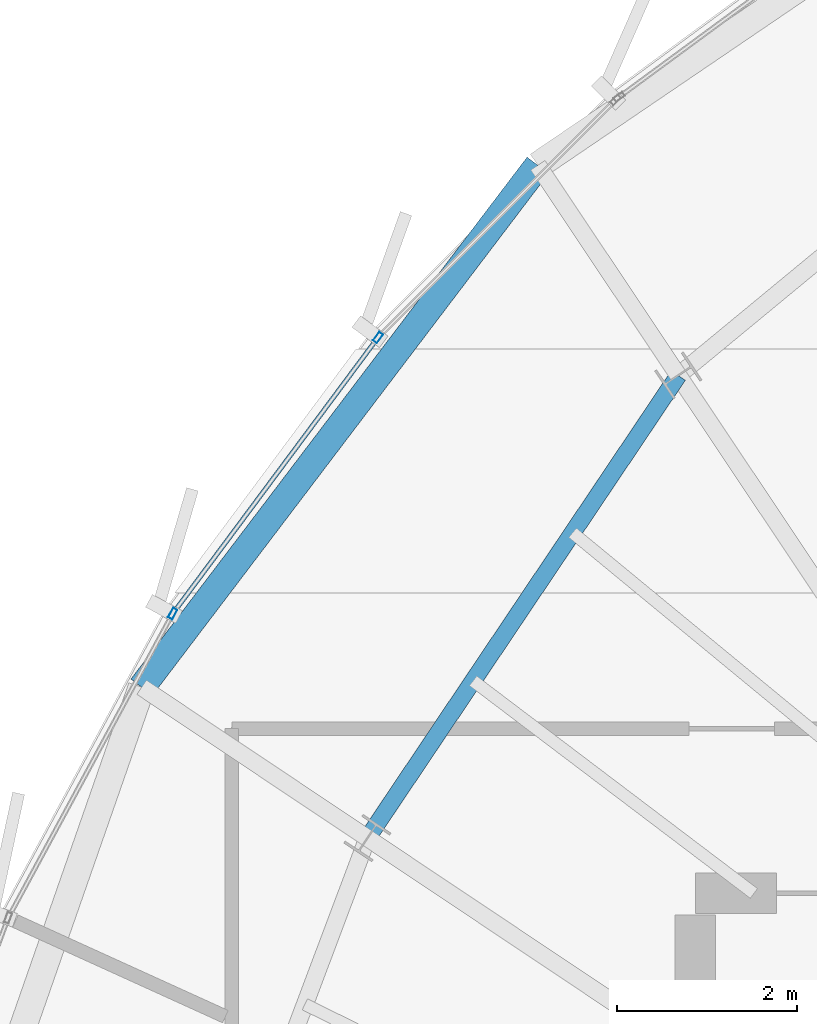
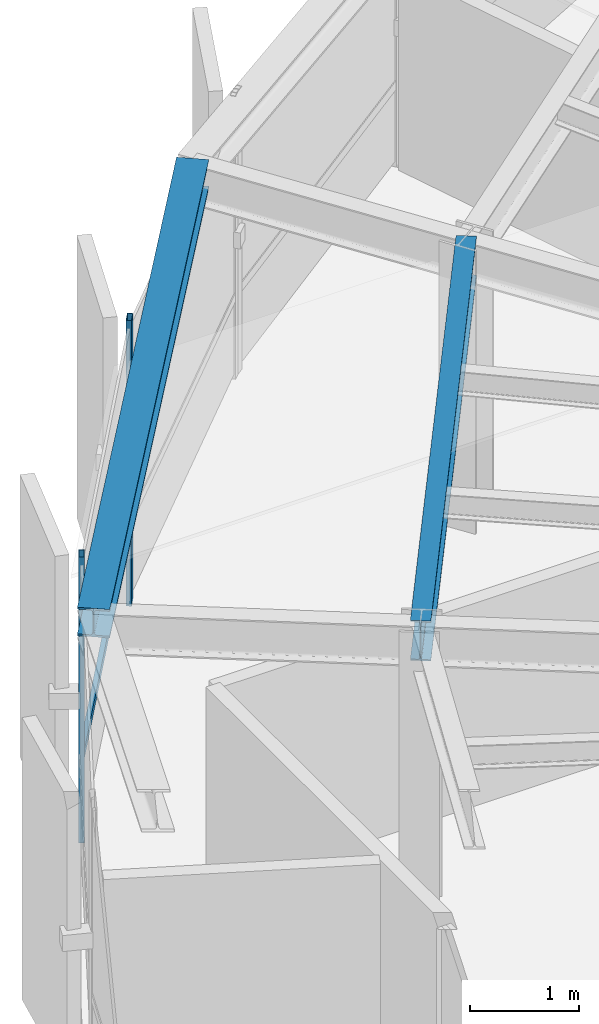
# One storey, part 16 of 30: 3 members, 2 beams, 1 element without a shape of its own.
"""IFC4 building model written with IfcOpenShell, lengths in metres."""

from ifc_helpers import new_model, si_unit, direction, frame, origin, origin_2d, place, context, subcontext, project, spatial, hollow_rectangle, i_section, extrude, source, transform, mapped, material, layer, layer_set, material_profile, profile_set, type_object, element, aggregate, save


model = new_model("IFC4")

# Units and contexts
model_context = context("Model", 3, precision=1e-05, world=origin(), true_north=direction((0.0, 1.0)))
body_context = subcontext(model_context, "Body", "Model", "MODEL_VIEW")
ifc_project = project(units=[si_unit("LENGTHUNIT", "METRE"), si_unit("AREAUNIT", "SQUARE_METRE"), si_unit("VOLUMEUNIT", "CUBIC_METRE"), si_unit("PLANEANGLEUNIT", "RADIAN"), si_unit("MASSUNIT", "GRAM", prefix="KILO"), si_unit("THERMODYNAMICTEMPERATUREUNIT", "KELVIN")], contexts=[model_context])

# Site, building, storey
site_placement = place(None, origin())
site = spatial("IfcSite", under=ifc_project, at=site_placement, CompositionType="ELEMENT")
building_placement = place(site_placement, origin())
building = spatial("IfcBuilding", under=site, at=building_placement, Name="Kethvar Cultural Tower", CompositionType="ELEMENT")
storey_placement = place(building_placement, frame((0.0, 0.0, 297.39990234375)))
storey = spatial("IfcBuildingStorey", under=building, at=storey_placement, Name="L79", CompositionType="ELEMENT", Elevation=297.39990234375)

# Beams
ifc_material_1 = material(Name="Steel S355J2", Category="steel")
ifc_material_profile_1 = material_profile(ifc_material_1, i_section(OverallWidth=0.18994140625, OverallDepth=0.449951171875, WebThickness=0.009521484375, FlangeThickness=0.0146484375, FilletRadius=0.02099609375, at=origin_2d()), Name="Steel S355J2 — IPE450")
ifc_profile_set_1 = profile_set([ifc_material_profile_1], Name="Steel S355J2 — IPE450")
beam_type_1 = type_object("IfcBeamType", Name="BM-IPE450", PredefinedType="BEAM", material=ifc_profile_set_1)
shared_shape_1 = source(origin(), body_context, "Body", "SweptSolid", [
    extrude(i_section(OverallWidth=0.18994140625, OverallDepth=0.449951171875, WebThickness=0.009521484375, FlangeThickness=0.0146484375, FilletRadius=0.02099609375, at=origin_2d()), origin(), (0.0, 0.0, 1.0), 6.192626953125),
])
beam_1_placement = place(storey_placement, frame((37.8095703125, 41.255126953125, 2.983154296875), z_axis=(-0.557698912025, -0.830043326295, 0.0), x_axis=(0.830043326295, -0.557698912025, 0.0)))
element("IfcBeam", 1, at=beam_1_placement, inside=storey, type_object=beam_type_1, Name="L79 Column Ring Tie Beam CR-06", PredefinedType="BEAM", context=body_context, shape_type="MappedRepresentation", body=[
    mapped(shared_shape_1, transform((0.0, 0.0, 0.0), scale=1.0)),
])
ifc_material_profile_2 = material_profile(ifc_material_1, i_section(OverallWidth=0.300048828125, OverallDepth=0.320068359375, WebThickness=0.011474609375, FlangeThickness=0.0205078125, FilletRadius=0.027099609375, at=origin_2d()), Name="Steel S355J2 — HEB320")
ifc_profile_set_2 = profile_set([ifc_material_profile_2], Name="Steel S355J2 — HEB320")
beam_type_2 = type_object("IfcBeamType", Name="BM-SP320", PredefinedType="SPANDREL", material=ifc_profile_set_2)
shared_shape_2 = source(origin(), body_context, "Body", "SweptSolid", [
    extrude(i_section(OverallWidth=0.300048828125, OverallDepth=0.320068359375, WebThickness=0.011474609375, FlangeThickness=0.0205078125, FilletRadius=0.027099609375, at=origin_2d()), origin(), (0.0, 0.0, 1.0), 7.280517578125),
])
beam_2_placement = place(storey_placement, frame((36.24951171875, 43.58984375, 3.048095703125), z_axis=(-0.604646999943, -0.796493569001, 0.0), x_axis=(0.796493569001, -0.604646999943, 0.0)))
element("IfcBeam", 2, at=beam_2_placement, inside=storey, type_object=beam_type_2, Name="L79 Perimeter Spandrel Beam SP-06", PredefinedType="SPANDREL", context=body_context, shape_type="MappedRepresentation", body=[
    mapped(shared_shape_2, transform((0.0, 0.0, 0.0), scale=1.0)),
])

# Curtain wall, members
ifc_material_2 = material(Name="Aluminium 6063-T6", Category="aluminium")
ifc_layer = layer(ifc_material_2, 0.179931640625, Name="Aluminium 6063-T6", Category="aluminium")
ifc_layer_set = layer_set([ifc_layer], Name="Aluminium 6063-T6 (180 mm)")
curtain_wall_type = type_object("IfcCurtainWallType", Name="CW-SYS-05-Z56", PredefinedType="NOTDEFINED", material=ifc_layer_set)
curtain_wall_placement = place(storey_placement, origin())
curtain_wall = element("IfcCurtainWall", 3, at=curtain_wall_placement, inside=storey, type_object=curtain_wall_type, Name="L79 Curtain Wall Run 02", PredefinedType="NOTDEFINED")
ifc_material_profile_3 = material_profile(ifc_material_2, hollow_rectangle(XDim=0.054931640625, YDim=0.1201171875, WallThickness=0.00390625, at=origin_2d()), Name="Aluminium 6063-T6 — RHS120x55x4")
ifc_profile_set_3 = profile_set([ifc_material_profile_3], Name="Aluminium 6063-T6 — RHS120x55x4")
member_type_1 = type_object("IfcMemberType", Name="CW-SYS-05-Z56-MUL", PredefinedType="MULLION", material=ifc_profile_set_3)
shared_shape_3 = source(origin(), body_context, "Body", "SweptSolid", [
    extrude(hollow_rectangle(XDim=0.054931640625, YDim=0.1201171875, WallThickness=0.00390625, at=origin_2d()), origin(), (0.0, 0.0, 1.0), 3.210205078125),
])
member_1_placement = place(storey_placement, frame((34.472412109375, 41.67529296875, 0.0), z_axis=(0.0, 0.0, 1.0), x_axis=(0.802640536374, -0.596463049458, 0.0)))
member_1 = element("IfcMember", 4, at=member_1_placement, type_object=member_type_1, Name="CW-L79-R02 Mullion 2", PredefinedType="MULLION", context=body_context, shape_type="MappedRepresentation", body=[
    mapped(shared_shape_3, transform((0.0, 0.0, 0.0), scale=1.0)),
])
member_2_placement = place(storey_placement, frame((32.192138671875, 38.608642578125, 0.0), z_axis=(0.0, 0.0, 1.0), x_axis=(0.879681775557, -0.475562796856, 0.0)))
member_2 = element("IfcMember", 5, at=member_2_placement, type_object=member_type_1, Name="CW-L79-R02 Mullion 3", PredefinedType="MULLION", context=body_context, shape_type="MappedRepresentation", body=[
    mapped(shared_shape_3, transform((0.0, 0.0, 0.0), scale=1.0)),
])
ifc_material_profile_4 = material_profile(ifc_material_2, hollow_rectangle(XDim=0.050048828125, YDim=0.10009765625, WallThickness=0.00390625, at=origin_2d()), Name="Aluminium 6063-T6 — RHS100x50x4")
ifc_profile_set_4 = profile_set([ifc_material_profile_4], Name="Aluminium 6063-T6 — RHS100x50x4")
member_type_2 = type_object("IfcMemberType", Name="CW-SYS-05-Z56-TRN", PredefinedType="USERDEFINED", material=ifc_profile_set_4)
shared_shape_4 = source(origin(), body_context, "Body", "SweptSolid", [
    extrude(hollow_rectangle(XDim=0.050048828125, YDim=0.10009765625, WallThickness=0.00390625, at=origin_2d()), origin(), (0.0, 0.0, 1.0), 3.756591796875),
])
member_3_placement = place(storey_placement, frame((34.44873046875, 41.6435546875, 0.9501953125), z_axis=(-0.596479542565, -0.802628279655, 0.0), x_axis=(0.802628279655, -0.596479542565, 0.0)))
member_3 = element("IfcMember", 6, at=member_3_placement, type_object=member_type_2, Name="CW-L79-R02 Transom 2", ObjectType="TRANSOM", PredefinedType="USERDEFINED", context=body_context, shape_type="MappedRepresentation", body=[
    mapped(shared_shape_4, transform((0.0, 0.0, 0.0), scale=1.0)),
])
aggregate(curtain_wall, [member_1, member_2, member_3])

save(model, "model.ifc")
